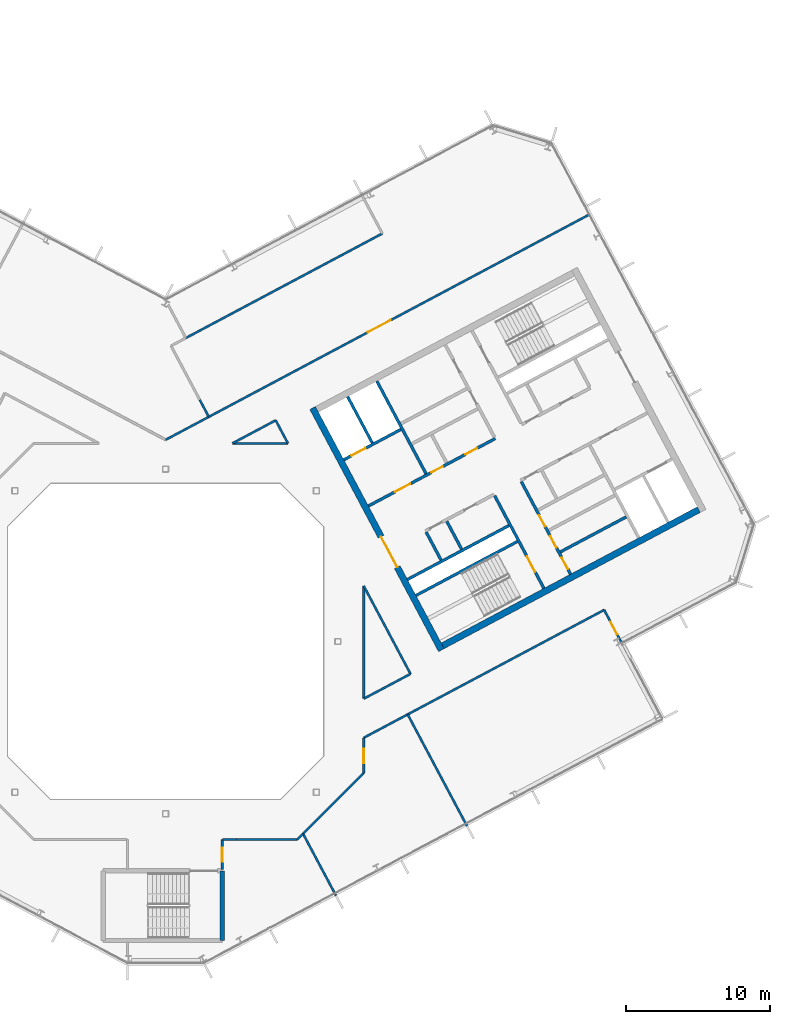
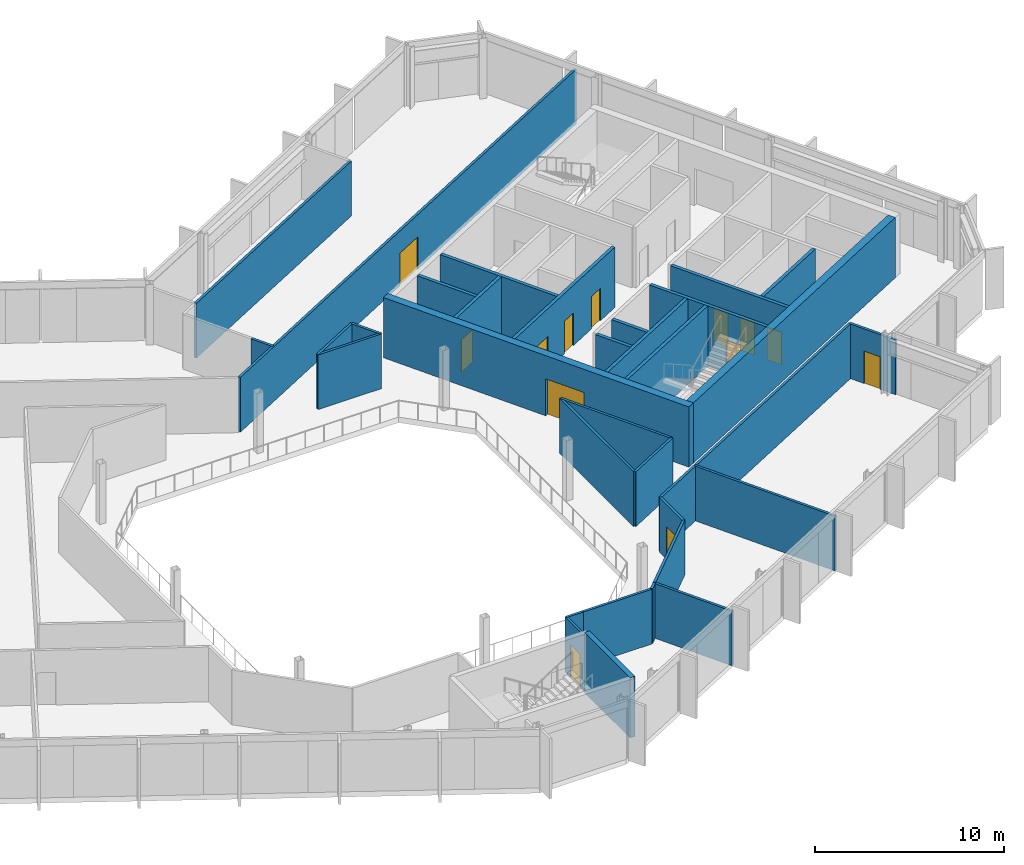
# One storey, part 16 of 26: 33 walls, 13 doors, 13 openings.
"""IFC4 building model written with IfcOpenShell, lengths in metres."""

from ifc_helpers import new_model, si_unit, direction, frame, frame_2d, origin, place, context, subcontext, project, spatial, rectangle, extrude, material, layer, layer_set, type_object, element, fill, save


model = new_model("IFC4")

# Units and contexts
model_context = context("Model", 3, precision=1e-05, world=origin(), true_north=direction((0.0, 1.0)))
body_context = subcontext(model_context, "Body", "Model", "MODEL_VIEW")
ifc_project = project(units=[si_unit("LENGTHUNIT", "METRE"), si_unit("AREAUNIT", "SQUARE_METRE"), si_unit("VOLUMEUNIT", "CUBIC_METRE"), si_unit("PLANEANGLEUNIT", "RADIAN"), si_unit("MASSUNIT", "GRAM", prefix="KILO")], contexts=[model_context])

# Site, building, storey
site_placement = place(None, origin())
site = spatial("IfcSite", under=ifc_project, at=site_placement, CompositionType="ELEMENT")
building_placement = place(site_placement, origin())
building = spatial("IfcBuilding", under=site, at=building_placement, Name="Cormorant Relay Tower", CompositionType="ELEMENT")
storey_placement = place(building_placement, frame((0.0, 0.0, 300.89990234375)))
storey = spatial("IfcBuildingStorey", under=building, at=storey_placement, Name="L68", CompositionType="ELEMENT", Elevation=300.89990234375)

# Walls
ifc_material_1 = material(Name="Concrete 40 MPa", Category="concrete")
ifc_layer_1 = layer(ifc_material_1, 0.199951171875)
ifc_layer_set_1 = layer_set([ifc_layer_1], Name="Core internal wall 200")
wall_type_1 = type_object("IfcWallType", Name="Core internal wall 200", PredefinedType="SOLIDWALL", material=ifc_layer_set_1)
wall_1_placement = place(storey_placement, frame((20.614013671875, 6.430419921875, 0.0), z_axis=(0.0, 0.0, 1.0), x_axis=(-0.4694473164, 0.882960484464, 0.0)))
element("IfcWall", 1, at=wall_1_placement, inside=storey, type_object=wall_type_1, Name="L68 core B shaft and room wall", PredefinedType="SOLIDWALL", context=body_context, shape_type="SweptSolid", body=[
    extrude(rectangle(XDim=2.199951171875, YDim=0.199951171875, at=frame_2d((1.10009765625, 0.0))), origin(), (0.0, 0.0, 1.0), 3.900146484375),
])
wall_2_placement = place(storey_placement, frame((27.490234375, 6.23583984375, 0.0), z_axis=(0.0, 0.0, 1.0), x_axis=(0.882953967957, 0.469459572775, 0.0)))
element("IfcWall", 2, at=wall_2_placement, inside=storey, type_object=wall_type_1, Name="L68 core B shaft and room wall", PredefinedType="SOLIDWALL", context=body_context, shape_type="SweptSolid", body=[
    extrude(rectangle(XDim=5.199951171875, YDim=0.199951171875, at=frame_2d((2.60009765625, 0.0))), origin(), (0.0, 0.0, 1.0), 3.900146484375),
])
ifc_material_2 = material(Name="Concrete 50 MPa", Category="concrete")
ifc_layer_2 = layer(ifc_material_2, 0.199951171875)
ifc_layer_set_2 = layer_set([ifc_layer_2], Name="Core shaft wall 200")
wall_type_2 = type_object("IfcWallType", Name="Core shaft wall 200", PredefinedType="SHEAR", material=ifc_layer_set_2)
wall_3_placement = place(storey_placement, frame((14.39404296875, 13.825927734375, 0.0), z_axis=(0.0, 0.0, 1.0), x_axis=(-0.469494272526, 0.882935517501, 0.0)))
element("IfcWall", 3, at=wall_3_placement, inside=storey, type_object=wall_type_2, Name="L68 core B shaft wall", PredefinedType="SHEAR", context=body_context, shape_type="SweptSolid", body=[
    extrude(rectangle(XDim=3.64990234375, YDim=0.199951171875, at=frame_2d((1.824951171875, 0.0))), origin(), (0.0, 0.0, 1.0), 3.900146484375),
])
wall_4_placement = place(storey_placement, frame((19.18359375, 5.669921875, 0.0), z_axis=(0.0, 0.0, 1.0), x_axis=(-0.4694473164, 0.882960484464, 0.0)))
element("IfcWall", 4, at=wall_4_placement, inside=storey, type_object=wall_type_2, Name="L68 core B shaft wall", PredefinedType="SHEAR", context=body_context, shape_type="SweptSolid", body=[
    extrude(rectangle(XDim=2.199951171875, YDim=0.199951171875, at=frame_2d((1.10009765625, 0.0))), origin(), (0.0, 0.0, 1.0), 3.900146484375),
])
wall_5_placement = place(storey_placement, frame((18.138427734375, 11.682861328125, 0.0), z_axis=(0.0, 0.0, 1.0), x_axis=(-0.469480409012, 0.88294288918, 0.0)))
element("IfcWall", 5, at=wall_5_placement, inside=storey, type_object=wall_type_2, Name="L68 core B shaft wall", PredefinedType="SHEAR", context=body_context, shape_type="SweptSolid", body=[
    extrude(rectangle(XDim=7.300048828125, YDim=0.199951171875, at=frame_2d((3.64990234375, 0.0))), origin(), (0.0, 0.0, 1.0), 3.900146484375),
])

# Wall, opening, door
wall_6_placement = place(storey_placement, frame((26.345947265625, 3.701904296875, 0.0), z_axis=(0.0, 0.0, 1.0), x_axis=(-0.469480409012, 0.88294288918, 0.0)))
wall_6 = element("IfcWall", 6, at=wall_6_placement, inside=storey, type_object=wall_type_2, Name="L68 core B shaft wall", PredefinedType="SHEAR", context=body_context, shape_type="SweptSolid", body=[
    extrude(rectangle(XDim=7.300048828125, YDim=0.199951171875, at=frame_2d((3.64990234375, 0.0))), origin(), (0.0, 0.0, 1.0), 3.900146484375),
])
opening_1_placement = place(wall_6_placement, frame((1.300048828125, 0.0, 0.0)))
opening_1 = element("IfcOpeningElement", 7, at=opening_1_placement, cuts=wall_6, Name="Opening CDB-040", PredefinedType="OPENING", context=body_context, shape_type="SweptSolid", body=[
    extrude(rectangle(XDim=1.199951171875, YDim=2.10009765625, at=frame_2d((0.60009765625, 1.050048828125))), frame((0.0, 0.10986328125, 0.0), z_axis=(0.0, -1.0, 0.0), x_axis=(1.0, 0.0, 0.0)), (0.0, 0.0, 1.0), 0.219970703125),
])
ifc_material_3 = material(Name="Steel fire door", Category="steel")
door_type_1 = type_object("IfcDoorType", Name="Core stair door 1200x2100", OperationType="SINGLE_SWING_LEFT", PredefinedType="DOOR", material=ifc_material_3)
door_1_placement = place(opening_1_placement, origin())
door_1 = element("IfcDoor", 8, at=door_1_placement, inside=storey, type_object=door_type_1, Name="Core stair door 1200x2100", OperationType="SINGLE_SWING_RIGHT", OverallHeight=2.10009765625, OverallWidth=1.199951171875, PredefinedType="DOOR", context=body_context, shape_type="SweptSolid", body=[
    extrude(rectangle(XDim=1.199951171875, YDim=2.10009765625, at=frame_2d((0.60009765625, 1.050048828125))), frame((0.0, 0.02490234375, 0.0), z_axis=(0.0, -1.0, 0.0), x_axis=(1.0, 0.0, 0.0)), (0.0, 0.0, 1.0), 0.050048828125),
])
fill(opening_1, door_1)

# Wall, openings, doors
wall_7_placement = place(storey_placement, frame((28.199951171875, 4.687744140625, 0.0), z_axis=(0.0, 0.0, 1.0), x_axis=(-0.469454336211, 0.882956752176, 0.0)))
wall_7 = element("IfcWall", 9, at=wall_7_placement, inside=storey, type_object=wall_type_2, Name="L68 core B shaft wall", PredefinedType="SHEAR", context=body_context, shape_type="SweptSolid", body=[
    extrude(rectangle(XDim=7.300048828125, YDim=0.199951171875, at=frame_2d((3.64990234375, 0.0))), origin(), (0.0, 0.0, 1.0), 3.900146484375),
])
opening_2_placement = place(wall_7_placement, frame((0.39990234375, 0.0, 0.0)))
opening_2 = element("IfcOpeningElement", 10, at=opening_2_placement, cuts=wall_7, Name="Opening CDD-343", PredefinedType="OPENING", context=body_context, shape_type="SweptSolid", body=[
    extrude(rectangle(XDim=0.89990234375, YDim=2.10009765625, at=frame_2d((0.449951171875, 1.050048828125))), frame((0.0, 0.10986328125, 0.0), z_axis=(0.0, -1.0, 0.0), x_axis=(1.0, 0.0, 0.0)), (0.0, 0.0, 1.0), 0.219970703125),
])
opening_3_placement = place(wall_7_placement, frame((2.10009765625, 0.0, 0.0)))
opening_3 = element("IfcOpeningElement", 11, at=opening_3_placement, cuts=wall_7, Name="Opening CDD-344", PredefinedType="OPENING", context=body_context, shape_type="SweptSolid", body=[
    extrude(rectangle(XDim=0.89990234375, YDim=2.10009765625, at=frame_2d((0.449951171875, 1.050048828125))), frame((0.0, 0.10986328125, 0.0), z_axis=(0.0, -1.0, 0.0), x_axis=(1.0, 0.0, 0.0)), (0.0, 0.0, 1.0), 0.219970703125),
])
opening_4_placement = place(wall_7_placement, frame((3.75, 0.0, 0.0)))
opening_4 = element("IfcOpeningElement", 12, at=opening_4_placement, cuts=wall_7, Name="Opening CDD-253", PredefinedType="OPENING", context=body_context, shape_type="SweptSolid", body=[
    extrude(rectangle(XDim=0.89990234375, YDim=2.10009765625, at=frame_2d((0.449951171875, 1.050048828125))), frame((0.0, 0.10986328125, 0.0), z_axis=(0.0, -1.0, 0.0), x_axis=(1.0, 0.0, 0.0)), (0.0, 0.0, 1.0), 0.219970703125),
])
ifc_material_4 = material(Name="Steel fire door", Category="steel")
door_type_2 = type_object("IfcDoorType", Name="Core room door 900x2100", OperationType="SINGLE_SWING_LEFT", PredefinedType="DOOR", material=ifc_material_4)
door_2_placement = place(opening_2_placement, frame((0.89990234375, 0.0, 0.0), z_axis=(0.0, 0.0, 1.0), x_axis=(-1.0, 0.0, 0.0)))
door_2 = element("IfcDoor", 13, at=door_2_placement, inside=storey, type_object=door_type_2, Name="Core room door 900x2100", OperationType="SINGLE_SWING_LEFT", OverallHeight=2.10009765625, OverallWidth=0.89990234375, PredefinedType="DOOR", context=body_context, shape_type="SweptSolid", body=[
    extrude(rectangle(XDim=0.89990234375, YDim=2.10009765625, at=frame_2d((0.449951171875, 1.050048828125))), frame((0.0, 0.02490234375, 0.0), z_axis=(0.0, -1.0, 0.0), x_axis=(1.0, 0.0, 0.0)), (0.0, 0.0, 1.0), 0.050048828125),
])
fill(opening_2, door_2)
door_3_placement = place(opening_3_placement, frame((0.89990234375, 0.0, 0.0), z_axis=(0.0, 0.0, 1.0), x_axis=(-1.0, 0.0, 0.0)))
door_3 = element("IfcDoor", 14, at=door_3_placement, inside=storey, type_object=door_type_2, Name="Core room door 900x2100", OperationType="SINGLE_SWING_LEFT", OverallHeight=2.10009765625, OverallWidth=0.89990234375, PredefinedType="DOOR", context=body_context, shape_type="SweptSolid", body=[
    extrude(rectangle(XDim=0.89990234375, YDim=2.10009765625, at=frame_2d((0.449951171875, 1.050048828125))), frame((0.0, 0.02490234375, 0.0), z_axis=(0.0, -1.0, 0.0), x_axis=(1.0, 0.0, 0.0)), (0.0, 0.0, 1.0), 0.050048828125),
])
fill(opening_3, door_3)
door_4_placement = place(opening_4_placement, frame((0.89990234375, 0.0, 0.0), z_axis=(0.0, 0.0, 1.0), x_axis=(-1.0, 0.0, 0.0)))
door_4 = element("IfcDoor", 15, at=door_4_placement, inside=storey, type_object=door_type_2, Name="Core room door 900x2100", OperationType="SINGLE_SWING_LEFT", OverallHeight=2.10009765625, OverallWidth=0.89990234375, PredefinedType="DOOR", context=body_context, shape_type="SweptSolid", body=[
    extrude(rectangle(XDim=0.89990234375, YDim=2.10009765625, at=frame_2d((0.449951171875, 1.050048828125))), frame((0.0, 0.02490234375, 0.0), z_axis=(0.0, -1.0, 0.0), x_axis=(1.0, 0.0, 0.0)), (0.0, 0.0, 1.0), 0.050048828125),
])
fill(opening_4, door_4)

# Walls
for number, where, z_axis, x_axis, name in (
    (16, (17.43359375, 3.210205078125, 0.0), (0.0, 0.0, 1.0), (0.882940221191, 0.469485426614, 0.0), "L68 core B shaft wall"),
    (17, (16.8466796875, 4.31396484375, 0.0), (0.0, 0.0, 1.0), (0.882940221191, 0.469485426614, 0.0), "L68 core B shaft wall"),
):
    element("IfcWall", number, at=place(storey_placement, frame(where, z_axis=z_axis, x_axis=x_axis)), inside=storey, type_object=wall_type_2, Name=name, PredefinedType="SHEAR", context=body_context, shape_type="SweptSolid", body=[
        extrude(rectangle(XDim=8.0, YDim=0.199951171875, at=frame_2d((4.0, 0.0))), origin(), (0.0, 0.0, 1.0), 3.900146484375),
    ])

# Wall, openings, doors
wall_8_placement = place(storey_placement, frame((14.123779296875, 9.43505859375, 0.0), z_axis=(0.0, 0.0, 1.0), x_axis=(0.882940221191, 0.469485426614, 0.0)))
wall_8 = element("IfcWall", 18, at=wall_8_placement, inside=storey, type_object=wall_type_2, Name="L68 core B shaft wall", PredefinedType="SHEAR", context=body_context, shape_type="SweptSolid", body=[
    extrude(rectangle(XDim=10.0, YDim=0.199951171875, at=frame_2d((5.0, 0.0))), origin(), (0.0, 0.0, 1.0), 3.900146484375),
])
opening_5_placement = place(wall_8_placement, frame((2.10009765625, 0.0, 0.0)))
opening_5 = element("IfcOpeningElement", 19, at=opening_5_placement, cuts=wall_8, Name="Opening CDC-037", PredefinedType="OPENING", context=body_context, shape_type="SweptSolid", body=[
    extrude(rectangle(XDim=1.199951171875, YDim=2.10009765625, at=frame_2d((0.60009765625, 1.050048828125))), frame((0.0, 0.10986328125, 0.0), z_axis=(0.0, -1.0, 0.0), x_axis=(1.0, 0.0, 0.0)), (0.0, 0.0, 1.0), 0.219970703125),
])
opening_6_placement = place(wall_8_placement, frame((4.9599609375, 0.0, 0.0)))
opening_6 = element("IfcOpeningElement", 20, at=opening_6_placement, cuts=wall_8, Name="Opening CDD-293", PredefinedType="OPENING", context=body_context, shape_type="SweptSolid", body=[
    extrude(rectangle(XDim=0.89990234375, YDim=2.10009765625, at=frame_2d((0.449951171875, 1.050048828125))), frame((0.0, 0.10986328125, 0.0), z_axis=(0.0, -1.0, 0.0), x_axis=(1.0, 0.0, 0.0)), (0.0, 0.0, 1.0), 0.219970703125),
])
opening_7_placement = place(wall_8_placement, frame((7.659912109375, 0.0, 0.0)))
opening_7 = element("IfcOpeningElement", 21, at=opening_7_placement, cuts=wall_8, Name="Opening CDD-272", PredefinedType="OPENING", context=body_context, shape_type="SweptSolid", body=[
    extrude(rectangle(XDim=0.89990234375, YDim=2.10009765625, at=frame_2d((0.449951171875, 1.050048828125))), frame((0.0, 0.10986328125, 0.0), z_axis=(0.0, -1.0, 0.0), x_axis=(1.0, 0.0, 0.0)), (0.0, 0.0, 1.0), 0.219970703125),
])
ifc_material_5 = material(Name="Steel fire door", Category="steel")
door_type_3 = type_object("IfcDoorType", Name="Core lobby door 1200x2100", OperationType="SINGLE_SWING_LEFT", PredefinedType="DOOR", material=ifc_material_5)
door_5_placement = place(opening_5_placement, origin())
door_5 = element("IfcDoor", 22, at=door_5_placement, inside=storey, type_object=door_type_3, Name="Core lobby door 1200x2100", OperationType="SINGLE_SWING_RIGHT", OverallHeight=2.10009765625, OverallWidth=1.199951171875, PredefinedType="DOOR", context=body_context, shape_type="SweptSolid", body=[
    extrude(rectangle(XDim=1.199951171875, YDim=2.10009765625, at=frame_2d((0.60009765625, 1.050048828125))), frame((0.0, 0.02490234375, 0.0), z_axis=(0.0, -1.0, 0.0), x_axis=(1.0, 0.0, 0.0)), (0.0, 0.0, 1.0), 0.050048828125),
])
fill(opening_5, door_5)
door_6_placement = place(opening_6_placement, origin())
door_6 = element("IfcDoor", 23, at=door_6_placement, inside=storey, type_object=door_type_2, Name="Core room door 900x2100", OperationType="SINGLE_SWING_LEFT", OverallHeight=2.10009765625, OverallWidth=0.89990234375, PredefinedType="DOOR", context=body_context, shape_type="SweptSolid", body=[
    extrude(rectangle(XDim=0.89990234375, YDim=2.10009765625, at=frame_2d((0.449951171875, 1.050048828125))), frame((0.0, 0.02490234375, 0.0), z_axis=(0.0, -1.0, 0.0), x_axis=(1.0, 0.0, 0.0)), (0.0, 0.0, 1.0), 0.050048828125),
])
fill(opening_6, door_6)
door_7_placement = place(opening_7_placement, origin())
door_7 = element("IfcDoor", 24, at=door_7_placement, inside=storey, type_object=door_type_2, Name="Core room door 900x2100", OperationType="SINGLE_SWING_LEFT", OverallHeight=2.10009765625, OverallWidth=0.89990234375, PredefinedType="DOOR", context=body_context, shape_type="SweptSolid", body=[
    extrude(rectangle(XDim=0.89990234375, YDim=2.10009765625, at=frame_2d((0.449951171875, 1.050048828125))), frame((0.0, 0.02490234375, 0.0), z_axis=(0.0, -1.0, 0.0), x_axis=(1.0, 0.0, 0.0)), (0.0, 0.0, 1.0), 0.050048828125),
])
fill(opening_7, door_7)

# Wall, opening, door
wall_9_placement = place(storey_placement, frame((12.41015625, 12.657958984375, 0.0), z_axis=(0.0, 0.0, 1.0), x_axis=(0.8829484765, 0.469469900894, 0.0)))
wall_9 = element("IfcWall", 25, at=wall_9_placement, inside=storey, type_object=wall_type_2, Name="L68 core B shaft wall", PredefinedType="SHEAR", context=body_context, shape_type="SweptSolid", body=[
    extrude(rectangle(XDim=4.499755859375, YDim=0.199951171875, at=frame_2d((2.25, 0.0))), origin(), (0.0, 0.0, 1.0), 3.900146484375),
])
opening_8_placement = place(wall_9_placement, frame((0.60009765625, 0.0, 0.0)))
opening_8 = element("IfcOpeningElement", 26, at=opening_8_placement, cuts=wall_9, Name="Opening LD1-064", PredefinedType="OPENING", context=body_context, shape_type="SweptSolid", body=[
    extrude(rectangle(XDim=1.10009765625, YDim=2.10009765625, at=frame_2d((0.550048828125, 1.050048828125))), frame((0.0, 0.10986328125, 0.0), z_axis=(0.0, -1.0, 0.0), x_axis=(1.0, 0.0, 0.0)), (0.0, 0.0, 1.0), 0.219970703125),
])
ifc_material_6 = material(Name="Stainless steel 316", Category="steel")
door_type_4 = type_object("IfcDoorType", Name="Lift landing door 1100x2100", OperationType="DOUBLE_DOOR_SLIDING", PredefinedType="DOOR", material=ifc_material_6)
door_8_placement = place(opening_8_placement, origin())
door_8 = element("IfcDoor", 27, at=door_8_placement, inside=storey, type_object=door_type_4, Name="FF2 landing door", OperationType="DOUBLE_DOOR_SLIDING", OverallHeight=2.10009765625, OverallWidth=1.10009765625, PredefinedType="DOOR", context=body_context, shape_type="SweptSolid", body=[
    extrude(rectangle(XDim=1.10009765625, YDim=2.10009765625, at=frame_2d((0.550048828125, 1.050048828125))), frame((0.0, 0.02490234375, 0.0), z_axis=(0.0, -1.0, 0.0), x_axis=(1.0, 0.0, 0.0)), (0.0, 0.0, 1.0), 0.050048828125),
])
fill(opening_8, door_8)

ifc_material_7 = material(Name="Concrete 50 MPa", Category="concrete")
ifc_layer_3 = layer(ifc_material_7, 0.449951171875)
ifc_layer_set_3 = layer_set([ifc_layer_3], Name="Core wall 450")
wall_type_3 = type_object("IfcWallType", Name="Core wall 450", PredefinedType="SHEAR", material=ifc_layer_set_3)
wall_10_placement = place(storey_placement, frame((19.20654296875, -0.603759765625, 0.0), z_axis=(0.0, 0.0, 1.0), x_axis=(-0.469467968382, 0.882949504028, 0.0)))
wall_10 = element("IfcWall", 28, at=wall_10_placement, inside=storey, type_object=wall_type_3, Name="L68 core B wall", PredefinedType="SHEAR", context=body_context, shape_type="SweptSolid", body=[
    extrude(rectangle(XDim=19.099853515625, YDim=0.449951171875, at=frame_2d((9.5498046875, 0.0))), origin(), (0.0, 0.0, 1.0), 3.900146484375),
])
opening_9_placement = place(wall_10_placement, frame((6.550048828125, 0.0, 0.0)))
opening_9 = element("IfcOpeningElement", 29, at=opening_9_placement, cuts=wall_10, Name="Opening CDA-055", PredefinedType="OPENING", context=body_context, shape_type="SweptSolid", body=[
    extrude(rectangle(XDim=2.39990234375, YDim=2.39990234375, at=frame_2d((1.199951171875, 1.199951171875))), frame((0.0, 0.23486328125, 0.0), z_axis=(0.0, -1.0, 0.0), x_axis=(1.0, 0.0, 0.0)), (0.0, 0.0, 1.0), 0.469970703125),
])
ifc_material_8 = material(Name="Steel fire door", Category="steel")
door_type_5 = type_object("IfcDoorType", Name="Core lobby door 2400x2400", OperationType="DOUBLE_DOOR_SINGLE_SWING", PredefinedType="DOOR", material=ifc_material_8)
door_9_placement = place(opening_9_placement, origin())
door_9 = element("IfcDoor", 30, at=door_9_placement, inside=storey, type_object=door_type_5, Name="Core lobby door 2400x2400", OperationType="DOUBLE_DOOR_SINGLE_SWING", OverallHeight=2.39990234375, OverallWidth=2.39990234375, PredefinedType="DOOR", context=body_context, shape_type="SweptSolid", body=[
    extrude(rectangle(XDim=2.39990234375, YDim=2.39990234375, at=frame_2d((1.199951171875, 1.199951171875))), frame((0.0, 0.02490234375, 0.0), z_axis=(0.0, -1.0, 0.0), x_axis=(1.0, 0.0, 0.0)), (0.0, 0.0, 1.0), 0.050048828125),
])
fill(opening_9, door_9)

# Wall
wall_11_placement = place(storey_placement, frame((19.299560546875, -0.29931640625, 0.0), z_axis=(0.0, 0.0, 1.0), x_axis=(0.88295276571, 0.46946183394, 0.0)))
element("IfcWall", 31, at=wall_11_placement, inside=storey, type_object=wall_type_3, Name="L68 core B wall", PredefinedType="SHEAR", context=body_context, shape_type="SweptSolid", body=[
    extrude(rectangle(XDim=20.199951171875, YDim=0.449951171875, at=frame_2d((10.10009765625, 0.0))), origin(), (0.0, 0.0, 1.0), 3.900146484375),
])

# Wall, opening, door
ifc_material_9 = material(Name="Gypsum board fire partition")
ifc_layer_4 = layer(ifc_material_9, 0.14990234375)
ifc_layer_set_4 = layer_set([ifc_layer_4], Name="Corridor partition 150 EI 60")
wall_type_4 = type_object("IfcWallType", Name="Corridor partition 150 EI 60", PredefinedType="PARTITIONING", material=ifc_layer_set_4)
wall_12_placement = place(storey_placement, frame((0.0, 14.0439453125, 0.0), z_axis=(0.0, 0.0, 1.0), x_axis=(0.882952097871, 0.469463089992, 0.0)))
wall_12 = element("IfcWall", 32, at=wall_12_placement, inside=storey, type_object=wall_type_4, Name="wall/L68/part/009", PredefinedType="PARTITIONING", context=body_context, shape_type="SweptSolid", body=[
    extrude(rectangle(XDim=33.606689453125, YDim=0.14990234375, at=frame_2d((16.80322265625, 0.0))), origin(), (0.0, 0.0, 1.0), 3.5400390625),
])
opening_10_placement = place(wall_12_placement, frame((15.949951171875, 0.0, 0.0)))
opening_10 = element("IfcOpeningElement", 33, at=opening_10_placement, cuts=wall_12, Name="Opening DD-041", PredefinedType="OPENING", context=body_context, shape_type="SweptSolid", body=[
    extrude(rectangle(XDim=1.800048828125, YDim=2.10009765625, at=frame_2d((0.89990234375, 1.050048828125))), frame((0.0, 0.0849609375, 0.0), z_axis=(0.0, -1.0, 0.0), x_axis=(1.0, 0.0, 0.0)), (0.0, 0.0, 1.0), 0.169921875),
])
ifc_material_10 = material(Name="Timber door leaf", Category="wood")
door_type_6 = type_object("IfcDoorType", Name="Suite double door 1800x2100", OperationType="DOUBLE_DOOR_SINGLE_SWING", PredefinedType="DOOR", material=ifc_material_10)
door_10_placement = place(opening_10_placement, frame((1.800048828125, 0.0, 0.0), z_axis=(0.0, 0.0, 1.0), x_axis=(-1.0, 0.0, 0.0)))
door_10 = element("IfcDoor", 34, at=door_10_placement, inside=storey, type_object=door_type_6, Name="door/L68/012", OperationType="DOUBLE_DOOR_SINGLE_SWING", OverallHeight=2.10009765625, OverallWidth=1.800048828125, PredefinedType="DOOR", context=body_context, shape_type="SweptSolid", body=[
    extrude(rectangle(XDim=1.800048828125, YDim=2.10009765625, at=frame_2d((0.89990234375, 1.050048828125))), frame((0.0, 0.02490234375, 0.0), z_axis=(0.0, -1.0, 0.0), x_axis=(1.0, 0.0, 0.0)), (0.0, 0.0, 1.0), 0.050048828125),
])
fill(opening_10, door_10)

# Wall
wall_13_placement = place(storey_placement, frame((4.9541015625, -13.800048828125, 0.0), z_axis=(0.0, 0.0, 1.0), x_axis=(-1.0, 0.0, 0.0)))
element("IfcWall", 35, at=wall_13_placement, inside=storey, type_object=wall_type_4, Name="wall/L68/part/033", PredefinedType="PARTITIONING", context=body_context, shape_type="SweptSolid", body=[
    extrude(rectangle(XDim=1.004150390625, YDim=0.14990234375, at=frame_2d((0.501953125, 0.0))), origin(), (0.0, 0.0, 1.0), 3.5400390625),
])

# Wall, opening, door
wall_14_placement = place(storey_placement, frame((3.949951171875, -13.800048828125, 0.0), z_axis=(0.0, 0.0, 1.0), x_axis=(0.0, -1.0, 0.0)))
wall_14 = element("IfcWall", 36, at=wall_14_placement, inside=storey, type_object=wall_type_4, Name="wall/L68/part/034", PredefinedType="PARTITIONING", context=body_context, shape_type="SweptSolid", body=[
    extrude(rectangle(XDim=2.074951171875, YDim=0.14990234375, at=frame_2d((1.03759765625, 0.0))), origin(), (0.0, 0.0, 1.0), 3.5400390625),
])
opening_11_placement = place(wall_14_placement, frame((0.550048828125, 0.0, 0.0)))
opening_11 = element("IfcOpeningElement", 37, at=opening_11_placement, cuts=wall_14, Name="Opening DS-107", PredefinedType="OPENING", context=body_context, shape_type="SweptSolid", body=[
    extrude(rectangle(XDim=1.0, YDim=2.10009765625, at=frame_2d((0.5, 1.050048828125))), frame((0.0, 0.0849609375, 0.0), z_axis=(0.0, -1.0, 0.0), x_axis=(1.0, 0.0, 0.0)), (0.0, 0.0, 1.0), 0.169921875),
])
ifc_material_11 = material(Name="Timber door leaf", Category="wood")
door_type_7 = type_object("IfcDoorType", Name="Suite door 1000x2100", OperationType="SINGLE_SWING_LEFT", PredefinedType="DOOR", material=ifc_material_11)
door_11_placement = place(opening_11_placement, origin())
door_11 = element("IfcDoor", 38, at=door_11_placement, inside=storey, type_object=door_type_7, Name="door/L68/005", OperationType="SINGLE_SWING_LEFT", OverallHeight=2.10009765625, OverallWidth=1.0, PredefinedType="DOOR", context=body_context, shape_type="SweptSolid", body=[
    extrude(rectangle(XDim=1.0, YDim=2.10009765625, at=frame_2d((0.5, 1.050048828125))), frame((0.0, 0.02490234375, 0.0), z_axis=(0.0, -1.0, 0.0), x_axis=(1.0, 0.0, 0.0)), (0.0, 0.0, 1.0), 0.050048828125),
])
fill(opening_11, door_11)

# Walls
wall_15_placement = place(storey_placement, frame((9.159912109375, -13.800048828125, 0.0), z_axis=(0.0, 0.0, 1.0), x_axis=(-1.0, 0.0, 0.0)))
element("IfcWall", 39, at=wall_15_placement, inside=storey, type_object=wall_type_4, Name="wall/L68/part/035", PredefinedType="PARTITIONING", context=body_context, shape_type="SweptSolid", body=[
    extrude(rectangle(XDim=4.205810546875, YDim=0.14990234375, at=frame_2d((2.10302734375, 0.0))), origin(), (0.0, 0.0, 1.0), 3.5400390625),
])
wall_16_placement = place(storey_placement, frame((9.158935546875, -13.800048828125, 0.0), z_axis=(0.0, 0.0, 1.0), x_axis=(0.707945081169, 0.70626748619, 0.0)))
element("IfcWall", 40, at=wall_16_placement, inside=storey, type_object=wall_type_4, Name="wall/L68/part/036", PredefinedType="PARTITIONING", context=body_context, shape_type="SweptSolid", body=[
    extrude(rectangle(XDim=0.58203125, YDim=0.14990234375, at=frame_2d((0.291015625, 0.0))), origin(), (0.0, 0.0, 1.0), 3.5400390625),
])

# Wall, opening, door
wall_17_placement = place(storey_placement, frame((13.800048828125, -6.722900390625, 0.0), z_axis=(0.0, 0.0, 1.0), x_axis=(0.0, -1.0, 0.0)))
wall_17 = element("IfcWall", 41, at=wall_17_placement, inside=storey, type_object=wall_type_4, Name="wall/L68/part/038", PredefinedType="PARTITIONING", context=body_context, shape_type="SweptSolid", body=[
    extrude(rectangle(XDim=2.43701171875, YDim=0.14990234375, at=frame_2d((1.218505859375, 0.0))), origin(), (0.0, 0.0, 1.0), 3.5400390625),
])
opening_12_placement = place(wall_17_placement, frame((0.75, 0.0, 0.0)))
opening_12 = element("IfcOpeningElement", 42, at=opening_12_placement, cuts=wall_17, Name="Opening DS-235", PredefinedType="OPENING", context=body_context, shape_type="SweptSolid", body=[
    extrude(rectangle(XDim=1.0, YDim=2.10009765625, at=frame_2d((0.5, 1.050048828125))), frame((0.0, 0.0849609375, 0.0), z_axis=(0.0, -1.0, 0.0), x_axis=(1.0, 0.0, 0.0)), (0.0, 0.0, 1.0), 0.169921875),
])
door_12_placement = place(opening_12_placement, frame((1.0, 0.0, 0.0), z_axis=(0.0, 0.0, 1.0), x_axis=(-1.0, 0.0, 0.0)))
door_12 = element("IfcDoor", 43, at=door_12_placement, inside=storey, type_object=door_type_7, Name="door/L68/006", OperationType="SINGLE_SWING_LEFT", OverallHeight=2.10009765625, OverallWidth=1.0, PredefinedType="DOOR", context=body_context, shape_type="SweptSolid", body=[
    extrude(rectangle(XDim=1.0, YDim=2.10009765625, at=frame_2d((0.5, 1.050048828125))), frame((0.0, 0.02490234375, 0.0), z_axis=(0.0, -1.0, 0.0), x_axis=(1.0, 0.0, 0.0)), (0.0, 0.0, 1.0), 0.050048828125),
])
fill(opening_12, door_12)

# Wall
wall_18_placement = place(storey_placement, frame((13.800048828125, -9.159912109375, 0.0), z_axis=(0.0, 0.0, 1.0), x_axis=(-0.707187736796, -0.707025816307, 0.0)))
element("IfcWall", 44, at=wall_18_placement, inside=storey, type_object=wall_type_4, Name="wall/L68/part/039", PredefinedType="PARTITIONING", context=body_context, shape_type="SweptSolid", body=[
    extrude(rectangle(XDim=6.031005859375, YDim=0.14990234375, at=frame_2d((3.015625, 0.0))), origin(), (0.0, 0.0, 1.0), 3.5400390625),
])

# Wall, opening, door
wall_19_placement = place(storey_placement, frame((31.89697265625, -0.346923828125, 0.0), z_axis=(0.0, 0.0, 1.0), x_axis=(-0.469576437406, 0.882891822045, 0.0)))
wall_19 = element("IfcWall", 45, at=wall_19_placement, inside=storey, type_object=wall_type_4, Name="wall/L68/part/041", PredefinedType="PARTITIONING", context=body_context, shape_type="SweptSolid", body=[
    extrude(rectangle(XDim=2.88134765625, YDim=0.14990234375, at=frame_2d((1.440673828125, 0.0))), origin(), (0.0, 0.0, 1.0), 3.5400390625),
])
opening_13_placement = place(wall_19_placement, frame((0.949951171875, 0.0, 0.0)))
opening_13 = element("IfcOpeningElement", 46, at=opening_13_placement, cuts=wall_19, Name="Opening DS-204", PredefinedType="OPENING", context=body_context, shape_type="SweptSolid", body=[
    extrude(rectangle(XDim=1.0, YDim=2.10009765625, at=frame_2d((0.5, 1.050048828125))), frame((0.0, 0.0849609375, 0.0), z_axis=(0.0, -1.0, 0.0), x_axis=(1.0, 0.0, 0.0)), (0.0, 0.0, 1.0), 0.169921875),
])
door_13_placement = place(opening_13_placement, origin())
door_13 = element("IfcDoor", 47, at=door_13_placement, inside=storey, type_object=door_type_7, Name="door/L68/007", OperationType="SINGLE_SWING_LEFT", OverallHeight=2.10009765625, OverallWidth=1.0, PredefinedType="DOOR", context=body_context, shape_type="SweptSolid", body=[
    extrude(rectangle(XDim=1.0, YDim=2.10009765625, at=frame_2d((0.5, 1.050048828125))), frame((0.0, 0.02490234375, 0.0), z_axis=(0.0, -1.0, 0.0), x_axis=(1.0, 0.0, 0.0)), (0.0, 0.0, 1.0), 0.050048828125),
])
fill(opening_13, door_13)

# Walls
wall_20_placement = place(storey_placement, frame((30.5439453125, 2.197021484375, 0.0), z_axis=(0.0, 0.0, 1.0), x_axis=(-0.88294347275, -0.469479311502, 0.0)))
element("IfcWall", 48, at=wall_20_placement, inside=storey, type_object=wall_type_4, Name="wall/L68/part/042", PredefinedType="PARTITIONING", context=body_context, shape_type="SweptSolid", body=[
    extrude(rectangle(XDim=18.963623046875, YDim=0.14990234375, at=frame_2d((9.48193359375, 0.0))), origin(), (0.0, 0.0, 1.0), 3.5400390625),
])
wall_21_placement = place(storey_placement, frame((7.6669921875, 15.402099609375, 0.0), z_axis=(0.0, 0.0, 1.0), x_axis=(-0.883005489543, -0.469362658759, 0.0)))
element("IfcWall", 49, at=wall_21_placement, inside=storey, type_object=wall_type_4, Name="wall/L68/part/052", PredefinedType="PARTITIONING", context=body_context, shape_type="SweptSolid", body=[
    extrude(rectangle(XDim=3.413330078125, YDim=0.14990234375, at=frame_2d((1.70654296875, 0.0))), origin(), (0.0, 0.0, 1.0), 3.5400390625),
])
wall_22_placement = place(storey_placement, frame((4.653076171875, 13.800048828125, 0.0), z_axis=(0.0, 0.0, 1.0), x_axis=(1.0, 0.0, 0.0)))
element("IfcWall", 50, at=wall_22_placement, inside=storey, type_object=wall_type_4, Name="wall/L68/part/053", PredefinedType="PARTITIONING", context=body_context, shape_type="SweptSolid", body=[
    extrude(rectangle(XDim=3.864990234375, YDim=0.14990234375, at=frame_2d((1.9326171875, 0.0))), origin(), (0.0, 0.0, 1.0), 3.5400390625),
])
wall_23_placement = place(storey_placement, frame((8.51806640625, 13.800048828125, 0.0), z_axis=(0.0, 0.0, 1.0), x_axis=(-0.469148666032, 0.883119204389, 0.0)))
element("IfcWall", 51, at=wall_23_placement, inside=storey, type_object=wall_type_4, Name="wall/L68/part/054", PredefinedType="PARTITIONING", context=body_context, shape_type="SweptSolid", body=[
    extrude(rectangle(XDim=1.81396484375, YDim=0.14990234375, at=frame_2d((0.906982421875, 0.0))), origin(), (0.0, 0.0, 1.0), 3.5400390625),
])
wall_24_placement = place(storey_placement, frame((13.800048828125, -3.988037109375, 0.0), z_axis=(0.0, 0.0, 1.0), x_axis=(0.882971660552, 0.469426295239, 0.0)))
element("IfcWall", 52, at=wall_24_placement, inside=storey, type_object=wall_type_4, Name="wall/L68/part/055", PredefinedType="PARTITIONING", context=body_context, shape_type="SweptSolid", body=[
    extrude(rectangle(XDim=3.6875, YDim=0.14990234375, at=frame_2d((1.84375, 0.0))), origin(), (0.0, 0.0, 1.0), 3.5400390625),
])
wall_25_placement = place(storey_placement, frame((17.055908203125, -2.257080078125, 0.0), z_axis=(0.0, 0.0, 1.0), x_axis=(-0.469433160251, 0.882968010778, 0.0)))
element("IfcWall", 53, at=wall_25_placement, inside=storey, type_object=wall_type_4, Name="wall/L68/part/056", PredefinedType="PARTITIONING", context=body_context, shape_type="SweptSolid", body=[
    extrude(rectangle(XDim=6.935791015625, YDim=0.14990234375, at=frame_2d((3.4677734375, 0.0))), origin(), (0.0, 0.0, 1.0), 3.5400390625),
])
wall_26_placement = place(storey_placement, frame((13.800048828125, 3.866943359375, 0.0), z_axis=(0.0, 0.0, 1.0), x_axis=(0.0, -1.0, 0.0)))
element("IfcWall", 54, at=wall_26_placement, inside=storey, type_object=wall_type_4, Name="wall/L68/part/057", PredefinedType="PARTITIONING", context=body_context, shape_type="SweptSolid", body=[
    extrude(rectangle(XDim=7.85498046875, YDim=0.14990234375, at=frame_2d((3.927490234375, 0.0))), origin(), (0.0, 0.0, 1.0), 3.5400390625),
])
ifc_material_12 = material(Name="Concrete 50 MPa", Category="concrete")
ifc_layer_5 = layer(ifc_material_12, 0.300048828125)
ifc_layer_set_5 = layer_set([ifc_layer_5], Name="Remote stair wall 300")
wall_type_5 = type_object("IfcWallType", Name="Remote stair wall 300", PredefinedType="SHEAR", material=ifc_layer_set_5)
wall_27_placement = place(storey_placement, frame((3.949951171875, -15.97509765625, 0.0), z_axis=(0.0, 0.0, 1.0), x_axis=(0.0, -1.0, 0.0)))
element("IfcWall", 55, at=wall_27_placement, inside=storey, type_object=wall_type_5, Name="L68 exit stair RK1 wall", PredefinedType="SHEAR", context=body_context, shape_type="SweptSolid", body=[
    extrude(rectangle(XDim=4.849853515625, YDim=0.300048828125, at=frame_2d((2.4248046875, 0.0))), origin(), (0.0, 0.0, 1.0), 3.900146484375),
])
ifc_material_13 = material(Name="Gypsum board partition")
ifc_layer_6 = layer(ifc_material_13, 0.14990234375)
ifc_layer_set_6 = layer_set([ifc_layer_6], Name="Tenant partition 150")
wall_type_6 = type_object("IfcWallType", Name="Tenant partition 150", PredefinedType="PARTITIONING", material=ifc_layer_set_6)
wall_28_placement = place(storey_placement, frame((2.3798828125, 16.824951171875, 0.0), z_axis=(0.0, 0.0, 1.0), x_axis=(0.469328592165, -0.88302359684, 0.0)))
element("IfcWall", 56, at=wall_28_placement, inside=storey, type_object=wall_type_6, Name="wall/L68/part/025", PredefinedType="PARTITIONING", context=body_context, shape_type="SweptSolid", body=[
    extrude(rectangle(XDim=1.33837890625, YDim=0.14990234375, at=frame_2d((0.669189453125, 0.0))), origin(), (0.0, 0.0, 1.0), 3.5400390625),
])
wall_29_placement = place(storey_placement, frame((1.405029296875, 21.133056640625, 0.0), z_axis=(0.0, 0.0, 1.0), x_axis=(0.882934197132, 0.469496755618, 0.0)))
element("IfcWall", 57, at=wall_29_placement, inside=storey, type_object=wall_type_6, Name="wall/L68/part/029", PredefinedType="PARTITIONING", context=body_context, shape_type="SweptSolid", body=[
    extrude(rectangle(XDim=15.50390625, YDim=0.14990234375, at=frame_2d((7.751953125, 0.0))), origin(), (0.0, 0.0, 1.0), 3.5400390625),
])
wall_30_placement = place(storey_placement, frame((9.572998046875, -13.386962890625, 0.0), z_axis=(0.0, 0.0, 1.0), x_axis=(0.469342774431, -0.883016058795, 0.0)))
element("IfcWall", 58, at=wall_30_placement, inside=storey, type_object=wall_type_6, Name="wall/L68/part/037", PredefinedType="PARTITIONING", context=body_context, shape_type="SweptSolid", body=[
    extrude(rectangle(XDim=4.885498046875, YDim=0.14990234375, at=frame_2d((2.44287109375, 0.0))), origin(), (0.0, 0.0, 1.0), 3.5400390625),
])
wall_31_placement = place(storey_placement, frame((16.85888671875, -5.080078125, 0.0), z_axis=(0.0, 0.0, 1.0), x_axis=(0.469445946219, -0.882961212952, 0.0)))
element("IfcWall", 59, at=wall_31_placement, inside=storey, type_object=wall_type_6, Name="wall/L68/part/040", PredefinedType="PARTITIONING", context=body_context, shape_type="SweptSolid", body=[
    extrude(rectangle(XDim=8.800048828125, YDim=0.14990234375, at=frame_2d((4.39990234375, 0.0))), origin(), (0.0, 0.0, 1.0), 3.5400390625),
])

save(model, "model.ifc")
